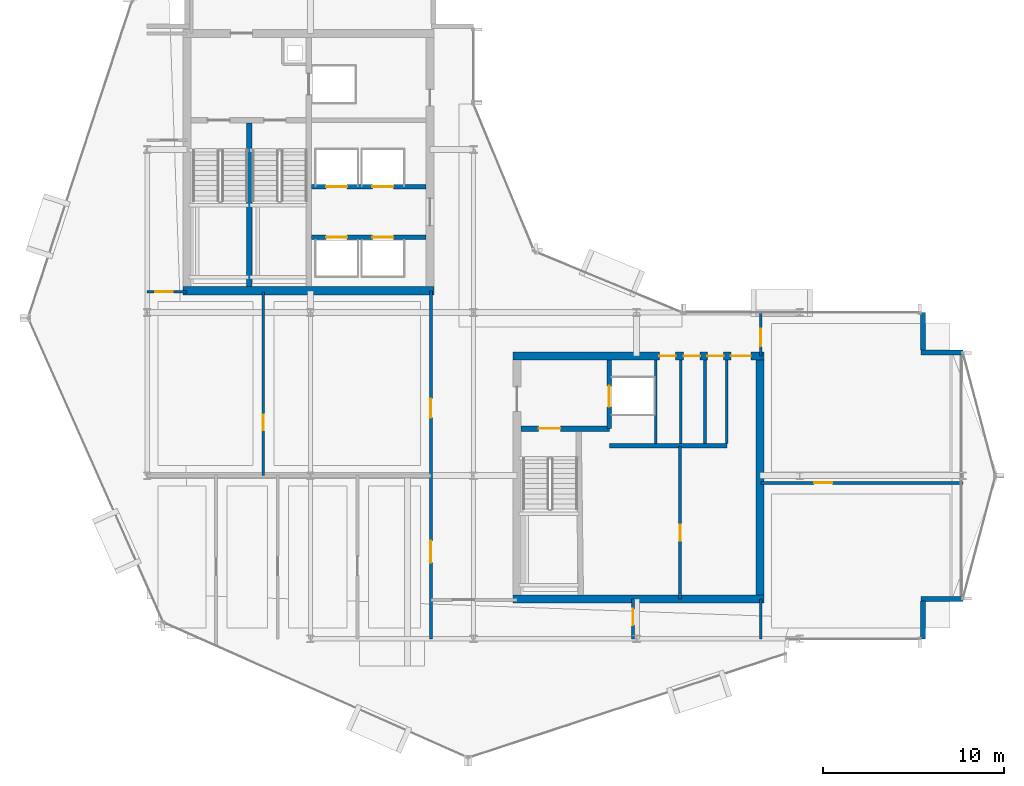
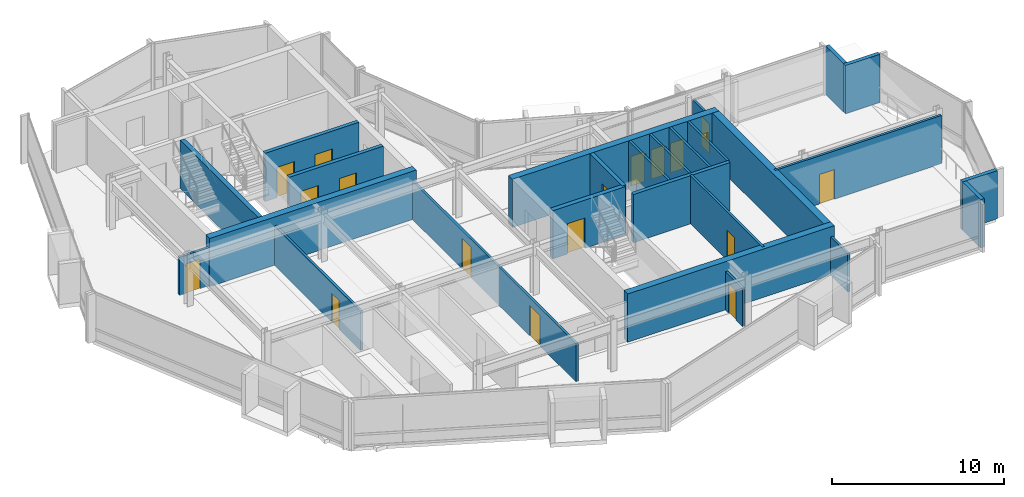
# One storey, part 20 of 27: 26 walls, 18 doors, 18 openings.
"""IFC4 building model written with IfcOpenShell, lengths in metres."""

from ifc_helpers import new_model, si_unit, direction, frame, frame_2d, origin, place, context, subcontext, project, spatial, rectangle, extrude, material, layer, layer_set, type_object, element, fill, save


model = new_model("IFC4")

# Units and contexts
model_context = context("Model", 3, precision=1e-05, world=origin(), true_north=direction((0.0, 1.0)))
body_context = subcontext(model_context, "Body", "Model", "MODEL_VIEW")
ifc_project = project(units=[si_unit("LENGTHUNIT", "METRE"), si_unit("AREAUNIT", "SQUARE_METRE"), si_unit("VOLUMEUNIT", "CUBIC_METRE"), si_unit("PLANEANGLEUNIT", "RADIAN"), si_unit("MASSUNIT", "GRAM", prefix="KILO")], contexts=[model_context])

# Site, building, storey
site_placement = place(None, origin())
site = spatial("IfcSite", under=ifc_project, at=site_placement, CompositionType="ELEMENT")
building_placement = place(site_placement, origin())
building = spatial("IfcBuilding", under=site, at=building_placement, Name="Solvaryn Broadcast Tower", CompositionType="ELEMENT")
storey_placement = place(building_placement, frame((0.0, 0.0, 228.39990234375)))
storey = spatial("IfcBuildingStorey", under=building, at=storey_placement, Name="L57", CompositionType="ELEMENT", Elevation=228.39990234375)

# Walls
ifc_material_1 = material(Name="Concrete f'c 70 MPa", Category="concrete")
ifc_layer_1 = layer(ifc_material_1, 0.449951171875)
ifc_layer_set_1 = layer_set([ifc_layer_1], Name="CW-SHEAR-450")
wall_type_1 = type_object("IfcWallType", Name="CW-SHEAR-450", PredefinedType="SHEAR", material=ifc_layer_set_1)
for number, where, z_axis, x_axis, name in (
    (1, (10.97509765625, 28.199951171875, 0.0), (0.0, 0.0, 1.0), (1.0, 0.0, 0.0), "L57 West Core South Shear Wall"),
    (2, (29.175048828125, 11.199951171875, 0.0), (0.0, 0.0, 1.0), (1.0, 0.0, 0.0), "L57 East Core South Shear Wall"),
):
    element("IfcWall", number, at=place(storey_placement, frame(where, z_axis=z_axis, x_axis=x_axis)), inside=storey, type_object=wall_type_1, Name=name, PredefinedType="SHEAR", context=body_context, shape_type="SweptSolid", body=[
        extrude(rectangle(XDim=13.849853515625, YDim=0.449951171875, at=frame_2d((6.9248046875, 0.0))), origin(), (0.0, 0.0, 1.0), 3.420166015625),
    ])

# Wall, openings, doors
wall_1_placement = place(storey_placement, frame((43.02490234375, 24.60009765625, 0.0), z_axis=(0.0, 0.0, 1.0), x_axis=(-1.0, 0.0, 0.0)))
wall_1 = element("IfcWall", 3, at=wall_1_placement, inside=storey, type_object=wall_type_1, Name="L57 East Core North Shear Wall", PredefinedType="SHEAR", context=body_context, shape_type="SweptSolid", body=[
    extrude(rectangle(XDim=13.849853515625, YDim=0.449951171875, at=frame_2d((6.9248046875, 0.0))), origin(), (0.0, 0.0, 1.0), 3.420166015625),
])
opening_1_placement = place(wall_1_placement, frame((0.72509765625, 0.0, 0.0)))
opening_1 = element("IfcOpeningElement", 4, at=opening_1_placement, cuts=wall_1, Name="Opening FD90C", PredefinedType="OPENING", context=body_context, shape_type="SweptSolid", body=[
    extrude(rectangle(XDim=1.10009765625, YDim=2.14990234375, at=frame_2d((0.550048828125, 1.074951171875))), frame((0.0, 0.235107421875, 0.0), z_axis=(0.0, -1.0, 0.0), x_axis=(1.0, 0.0, 0.0)), (0.0, 0.0, 1.0), 0.469970703125),
])
opening_2_placement = place(wall_1_placement, frame((2.22509765625, 0.0, 0.0)))
opening_2 = element("IfcOpeningElement", 5, at=opening_2_placement, cuts=wall_1, Name="Opening FD60C", PredefinedType="OPENING", context=body_context, shape_type="SweptSolid", body=[
    extrude(rectangle(XDim=0.89990234375, YDim=2.10009765625, at=frame_2d((0.449951171875, 1.050048828125))), frame((0.0, 0.235107421875, 0.0), z_axis=(0.0, -1.0, 0.0), x_axis=(1.0, 0.0, 0.0)), (0.0, 0.0, 1.0), 0.469970703125),
])
opening_3_placement = place(wall_1_placement, frame((3.52490234375, 0.0, 0.0)))
opening_3 = element("IfcOpeningElement", 6, at=opening_3_placement, cuts=wall_1, Name="Opening FD60C", PredefinedType="OPENING", context=body_context, shape_type="SweptSolid", body=[
    extrude(rectangle(XDim=0.89990234375, YDim=2.10009765625, at=frame_2d((0.449951171875, 1.050048828125))), frame((0.0, 0.235107421875, 0.0), z_axis=(0.0, -1.0, 0.0), x_axis=(1.0, 0.0, 0.0)), (0.0, 0.0, 1.0), 0.469970703125),
])
opening_4_placement = place(wall_1_placement, frame((4.875, 0.0, 0.0)))
opening_4 = element("IfcOpeningElement", 7, at=opening_4_placement, cuts=wall_1, Name="Opening FD60C", PredefinedType="OPENING", context=body_context, shape_type="SweptSolid", body=[
    extrude(rectangle(XDim=0.89990234375, YDim=2.10009765625, at=frame_2d((0.449951171875, 1.050048828125))), frame((0.0, 0.235107421875, 0.0), z_axis=(0.0, -1.0, 0.0), x_axis=(1.0, 0.0, 0.0)), (0.0, 0.0, 1.0), 0.469970703125),
])
ifc_material_2 = material(Name="Flush Acoustic Steel and Timber Door Assembly", Category="steel")
door_type_1 = type_object("IfcDoorType", Name="FD60-SERV-900X2100", OperationType="NOTDEFINED", PredefinedType="DOOR", material=ifc_material_2)
door_1_placement = place(opening_2_placement, origin())
door_1 = element("IfcDoor", 8, at=door_1_placement, inside=storey, type_object=door_type_1, Name="L57 Core Wellness Room Door", OperationType="SINGLE_SWING_RIGHT", OverallHeight=2.10009765625, OverallWidth=0.89990234375, PredefinedType="DOOR", context=body_context, shape_type="SweptSolid", body=[
    extrude(rectangle(XDim=0.89990234375, YDim=2.10009765625, at=frame_2d((0.449951171875, 1.050048828125))), frame((0.0, 0.02490234375, 0.0), z_axis=(0.0, -1.0, 0.0), x_axis=(1.0, 0.0, 0.0)), (0.0, 0.0, 1.0), 0.050048828125),
])
fill(opening_2, door_1)
door_2_placement = place(opening_3_placement, origin())
door_2 = element("IfcDoor", 9, at=door_2_placement, inside=storey, type_object=door_type_1, Name="L57 Staff Restroom Door", OperationType="SINGLE_SWING_LEFT", OverallHeight=2.10009765625, OverallWidth=0.89990234375, PredefinedType="DOOR", context=body_context, shape_type="SweptSolid", body=[
    extrude(rectangle(XDim=0.89990234375, YDim=2.10009765625, at=frame_2d((0.449951171875, 1.050048828125))), frame((0.0, 0.02490234375, 0.0), z_axis=(0.0, -1.0, 0.0), x_axis=(1.0, 0.0, 0.0)), (0.0, 0.0, 1.0), 0.050048828125),
])
fill(opening_3, door_2)
door_3_placement = place(opening_4_placement, origin())
door_3 = element("IfcDoor", 10, at=door_3_placement, inside=storey, type_object=door_type_1, Name="L57 Accessible WC Door", OperationType="SINGLE_SWING_RIGHT", OverallHeight=2.10009765625, OverallWidth=0.89990234375, PredefinedType="DOOR", context=body_context, shape_type="SweptSolid", body=[
    extrude(rectangle(XDim=0.89990234375, YDim=2.10009765625, at=frame_2d((0.449951171875, 1.050048828125))), frame((0.0, 0.02490234375, 0.0), z_axis=(0.0, -1.0, 0.0), x_axis=(1.0, 0.0, 0.0)), (0.0, 0.0, 1.0), 0.050048828125),
])
fill(opening_4, door_3)
ifc_material_3 = material(Name="Flush Acoustic Steel and Timber Door Assembly", Category="steel")
door_type_2 = type_object("IfcDoorType", Name="FD90-PLANT-1100X2150", OperationType="NOTDEFINED", PredefinedType="DOOR", material=ifc_material_3)
door_4_placement = place(opening_1_placement, origin())
door_4 = element("IfcDoor", 11, at=door_4_placement, inside=storey, type_object=door_type_2, Name="L57 East Core Lobby Corridor Door", OperationType="SINGLE_SWING_LEFT", OverallHeight=2.14990234375, OverallWidth=1.10009765625, PredefinedType="DOOR", context=body_context, shape_type="SweptSolid", body=[
    extrude(rectangle(XDim=1.10009765625, YDim=2.14990234375, at=frame_2d((0.550048828125, 1.074951171875))), frame((0.0, 0.02490234375, 0.0), z_axis=(0.0, -1.0, 0.0), x_axis=(1.0, 0.0, 0.0)), (0.0, 0.0, 1.0), 0.050048828125),
])
fill(opening_1, door_4)

# Walls
wall_2_placement = place(storey_placement, frame((42.800048828125, 11.425048828125, 0.0), z_axis=(0.0, 0.0, 1.0), x_axis=(0.0, 1.0, 0.0)))
element("IfcWall", 12, at=wall_2_placement, inside=storey, type_object=wall_type_1, Name="L57 East Core East Shear Wall", PredefinedType="SHEAR", context=body_context, shape_type="SweptSolid", body=[
    extrude(rectangle(XDim=12.949951171875, YDim=0.449951171875, at=frame_2d((6.47509765625, 0.0))), origin(), (0.0, 0.0, 1.0), 3.420166015625),
])
ifc_material_4 = material(Name="Concrete f'c 50 MPa", Category="concrete")
ifc_layer_2 = layer(ifc_material_4, 0.260009765625)
ifc_layer_set_2 = layer_set([ifc_layer_2], Name="EW-PIER-260")
wall_type_2 = type_object("IfcWallType", Name="EW-PIER-260", PredefinedType="SOLIDWALL", material=ifc_layer_set_2)
wall_3_placement = place(storey_placement, frame((51.800048828125, 9.0, 0.0), z_axis=(0.0, 0.0, 1.0), x_axis=(0.0, 1.0, 0.0)))
element("IfcWall", 13, at=wall_3_placement, inside=storey, type_object=wall_type_2, Name="L57 Notched Corner Pier Wall NSE1", PredefinedType="SOLIDWALL", context=body_context, shape_type="SweptSolid", body=[
    extrude(rectangle(XDim=2.080078125, YDim=0.260009765625, at=frame_2d((1.0400390625, 0.0))), origin(), (0.0, 0.0, 1.0), 3.420166015625),
])
for number, where, z_axis, x_axis, name in (
    (14, (51.679931640625, 11.199951171875, 0.0), (0.0, 0.0, 1.0), (1.0, 0.0, 0.0), "L57 Notched Corner Pier Wall NSE2"),
    (15, (54.0, 24.800048828125, 0.0), (0.0, 0.0, 1.0), (-1.0, 0.0, 0.0), "L57 Notched Corner Pier Wall NEE1"),
):
    element("IfcWall", number, at=place(storey_placement, frame(where, z_axis=z_axis, x_axis=x_axis)), inside=storey, type_object=wall_type_2, Name=name, PredefinedType="SOLIDWALL", context=body_context, shape_type="SweptSolid", body=[
        extrude(rectangle(XDim=2.320068359375, YDim=0.260009765625, at=frame_2d((1.16015625, 0.0))), origin(), (0.0, 0.0, 1.0), 3.420166015625),
    ])
wall_4_placement = place(storey_placement, frame((51.800048828125, 24.919921875, 0.0), z_axis=(0.0, 0.0, 1.0), x_axis=(0.0, 1.0, 0.0)))
element("IfcWall", 16, at=wall_4_placement, inside=storey, type_object=wall_type_2, Name="L57 Notched Corner Pier Wall NEE2", PredefinedType="SOLIDWALL", context=body_context, shape_type="SweptSolid", body=[
    extrude(rectangle(XDim=2.080078125, YDim=0.260009765625, at=frame_2d((1.0400390625, 0.0))), origin(), (0.0, 0.0, 1.0), 3.420166015625),
])

# Wall, opening, door
ifc_material_5 = material(Name="Metal-Stud Service Core Partition")
ifc_layer_3 = layer(ifc_material_5, 0.14990234375)
ifc_layer_set_3 = layer_set([ifc_layer_3], Name="IW-PART-150")
wall_type_3 = type_object("IfcWallType", Name="IW-PART-150", PredefinedType="PARTITIONING", material=ifc_layer_set_3)
wall_5_placement = place(storey_placement, frame((38.39990234375, 11.199951171875, 0.0), z_axis=(0.0, 0.0, 1.0), x_axis=(0.0, 1.0, 0.0)))
wall_5 = element("IfcWall", 17, at=wall_5_placement, inside=storey, type_object=wall_type_3, Name="L57 Interior Partition IW-L57-RPM-V", PredefinedType="PARTITIONING", context=body_context, shape_type="SweptSolid", body=[
    extrude(rectangle(XDim=8.400146484375, YDim=0.14990234375, at=frame_2d((4.2001953125, 0.0))), origin(), (0.0, 0.0, 1.0), 3.420166015625),
])
opening_5_placement = place(wall_5_placement, frame((3.199951171875, 0.0, 0.0)))
opening_5 = element("IfcOpeningElement", 18, at=opening_5_placement, cuts=wall_5, Name="Opening FD60C", PredefinedType="OPENING", context=body_context, shape_type="SweptSolid", body=[
    extrude(rectangle(XDim=0.89990234375, YDim=2.10009765625, at=frame_2d((0.449951171875, 1.050048828125))), frame((0.0, 0.0849609375, 0.0), z_axis=(0.0, -1.0, 0.0), x_axis=(1.0, 0.0, 0.0)), (0.0, 0.0, 1.0), 0.169921875),
])
door_5_placement = place(opening_5_placement, origin())
door_5 = element("IfcDoor", 19, at=door_5_placement, inside=storey, type_object=door_type_1, Name="L57 Door DR-L57-RPM1", OperationType="SINGLE_SWING_RIGHT", OverallHeight=2.10009765625, OverallWidth=0.89990234375, PredefinedType="DOOR", context=body_context, shape_type="SweptSolid", body=[
    extrude(rectangle(XDim=0.89990234375, YDim=2.10009765625, at=frame_2d((0.449951171875, 1.050048828125))), frame((0.0, 0.02490234375, 0.0), z_axis=(0.0, -1.0, 0.0), x_axis=(1.0, 0.0, 0.0)), (0.0, 0.0, 1.0), 0.050048828125),
])
fill(opening_5, door_5)

# Walls
for number, where, z_axis, x_axis, name in (
    (20, (37.050048828125, 19.780029296875, 0.0), (0.0, 0.0, 1.0), (0.0, 1.0, 0.0), "L57 Interior Partition IW-L57-CE-FL2E"),
    (21, (38.43994140625, 19.780029296875, 0.0), (0.0, 0.0, 1.0), (0.0, 1.0, 0.0), "L57 Interior Partition IW-L57-CE-V1"),
    (22, (39.77001953125, 19.780029296875, 0.0), (0.0, 0.0, 1.0), (0.0, 1.0, 0.0), "L57 Interior Partition IW-L57-CE-V2"),
    (23, (40.97998046875, 19.780029296875, 0.0), (0.0, 0.0, 1.0), (0.0, 1.0, 0.0), "L57 Interior Partition IW-L57-CE-V3"),
):
    element("IfcWall", number, at=place(storey_placement, frame(where, z_axis=z_axis, x_axis=x_axis)), inside=storey, type_object=wall_type_3, Name=name, PredefinedType="PARTITIONING", context=body_context, shape_type="SweptSolid", body=[
        extrude(rectangle(XDim=4.594970703125, YDim=0.14990234375, at=frame_2d((2.29736328125, 0.0))), origin(), (0.0, 0.0, 1.0), 3.420166015625),
    ])

# Wall, opening, door
wall_6_placement = place(storey_placement, frame((35.800048828125, 9.0, 0.0), z_axis=(0.0, 0.0, 1.0), x_axis=(0.0, 1.0, 0.0)))
wall_6 = element("IfcWall", 24, at=wall_6_placement, inside=storey, type_object=wall_type_3, Name="L57 Interior Partition IW-L57-SC-V", PredefinedType="PARTITIONING", context=body_context, shape_type="SweptSolid", body=[
    extrude(rectangle(XDim=2.199951171875, YDim=0.14990234375, at=frame_2d((1.10009765625, 0.0))), origin(), (0.0, 0.0, 1.0), 2.70703125),
])
opening_6_placement = place(wall_6_placement, frame((0.75, 0.0, 0.0)))
opening_6 = element("IfcOpeningElement", 25, at=opening_6_placement, cuts=wall_6, Name="Opening FD60C", PredefinedType="OPENING", context=body_context, shape_type="SweptSolid", body=[
    extrude(rectangle(XDim=0.89990234375, YDim=2.10009765625, at=frame_2d((0.449951171875, 1.050048828125))), frame((0.0, 0.0849609375, 0.0), z_axis=(0.0, -1.0, 0.0), x_axis=(1.0, 0.0, 0.0)), (0.0, 0.0, 1.0), 0.169921875),
])
door_6_placement = place(opening_6_placement, origin())
door_6 = element("IfcDoor", 26, at=door_6_placement, inside=storey, type_object=door_type_1, Name="L57 Door DR-L57-SC1", OperationType="SINGLE_SWING_RIGHT", OverallHeight=2.10009765625, OverallWidth=0.89990234375, PredefinedType="DOOR", context=body_context, shape_type="SweptSolid", body=[
    extrude(rectangle(XDim=0.89990234375, YDim=2.10009765625, at=frame_2d((0.449951171875, 1.050048828125))), frame((0.0, 0.02490234375, 0.0), z_axis=(0.0, -1.0, 0.0), x_axis=(1.0, 0.0, 0.0)), (0.0, 0.0, 1.0), 0.050048828125),
])
fill(opening_6, door_6)

ifc_material_6 = material(Name="Metal-Stud Gypsum Office Partition")
ifc_layer_4 = layer(ifc_material_6, 0.159912109375)
ifc_layer_set_4 = layer_set([ifc_layer_4], Name="IW-PART-160")
wall_type_4 = type_object("IfcWallType", Name="IW-PART-160", PredefinedType="PARTITIONING", material=ifc_layer_set_4)
wall_7_placement = place(storey_placement, frame((9.0, 28.14990234375, 0.0), z_axis=(0.0, 0.0, 1.0), x_axis=(1.0, 0.0, 0.0)))
wall_7 = element("IfcWall", 27, at=wall_7_placement, inside=storey, type_object=wall_type_4, Name="L57 Interior Partition IW-L57-WM-S", PredefinedType="PARTITIONING", context=body_context, shape_type="SweptSolid", body=[
    extrude(rectangle(XDim=2.199951171875, YDim=0.159912109375, at=frame_2d((1.10009765625, 0.0))), origin(), (0.0, 0.0, 1.0), 2.70703125),
])
opening_7_placement = place(wall_7_placement, frame((0.449951171875, 0.0, 0.0)))
opening_7 = element("IfcOpeningElement", 28, at=opening_7_placement, cuts=wall_7, Name="Opening ID01", PredefinedType="OPENING", context=body_context, shape_type="SweptSolid", body=[
    extrude(rectangle(XDim=0.949951171875, YDim=2.10009765625, at=frame_2d((0.47509765625, 1.050048828125))), frame((0.0, 0.090087890625, 0.0), z_axis=(0.0, -1.0, 0.0), x_axis=(1.0, 0.0, 0.0)), (0.0, 0.0, 1.0), 0.179931640625),
])
ifc_material_7 = material(Name="Flush Acoustic Steel and Timber Door Assembly", Category="steel")
door_type_3 = type_object("IfcDoorType", Name="ID-01-950X2100", OperationType="NOTDEFINED", PredefinedType="DOOR", material=ifc_material_7)
door_7_placement = place(opening_7_placement, origin())
door_7 = element("IfcDoor", 29, at=door_7_placement, inside=storey, type_object=door_type_3, Name="L57 Door DR-L57-WM0", OperationType="SINGLE_SWING_LEFT", OverallHeight=2.10009765625, OverallWidth=0.949951171875, PredefinedType="DOOR", context=body_context, shape_type="SweptSolid", body=[
    extrude(rectangle(XDim=0.949951171875, YDim=2.10009765625, at=frame_2d((0.47509765625, 1.050048828125))), frame((0.0, 0.02490234375, 0.0), z_axis=(0.0, -1.0, 0.0), x_axis=(1.0, 0.0, 0.0)), (0.0, 0.0, 1.0), 0.050048828125),
])
fill(opening_7, door_7)

# Wall, openings, doors
wall_8_placement = place(storey_placement, frame((24.64990234375, 9.0, 0.0), z_axis=(0.0, 0.0, 1.0), x_axis=(0.0, 1.0, 0.0)))
wall_8 = element("IfcWall", 30, at=wall_8_placement, inside=storey, type_object=wall_type_4, Name="L57 Interior Partition IW-L57-SW-EB", PredefinedType="PARTITIONING", context=body_context, shape_type="SweptSolid", body=[
    extrude(rectangle(XDim=19.199951171875, YDim=0.159912109375, at=frame_2d((9.60009765625, 0.0))), origin(), (0.0, 0.0, 1.0), 2.70703125),
])
opening_8_placement = place(wall_8_placement, frame((12.199951171875, 0.0, 0.0)))
opening_8 = element("IfcOpeningElement", 31, at=opening_8_placement, cuts=wall_8, Name="Opening ID03", PredefinedType="OPENING", context=body_context, shape_type="SweptSolid", body=[
    extrude(rectangle(XDim=1.050048828125, YDim=2.14990234375, at=frame_2d((0.52490234375, 1.074951171875))), frame((0.0, 0.090087890625, 0.0), z_axis=(0.0, -1.0, 0.0), x_axis=(1.0, 0.0, 0.0)), (0.0, 0.0, 1.0), 0.179931640625),
])
opening_9_placement = place(wall_8_placement, frame((4.199951171875, 0.0, 0.0)))
opening_9 = element("IfcOpeningElement", 32, at=opening_9_placement, cuts=wall_8, Name="Opening ID04", PredefinedType="OPENING", context=body_context, shape_type="SweptSolid", body=[
    extrude(rectangle(XDim=1.199951171875, YDim=2.14990234375, at=frame_2d((0.60009765625, 1.074951171875))), frame((0.0, 0.090087890625, 0.0), z_axis=(0.0, -1.0, 0.0), x_axis=(1.0, 0.0, 0.0)), (0.0, 0.0, 1.0), 0.179931640625),
])
ifc_material_8 = material(Name="Flush Acoustic Steel and Timber Door Assembly", Category="steel")
door_type_4 = type_object("IfcDoorType", Name="ID-03-1050X2150", OperationType="NOTDEFINED", PredefinedType="DOOR", material=ifc_material_8)
door_8_placement = place(opening_8_placement, origin())
door_8 = element("IfcDoor", 33, at=door_8_placement, inside=storey, type_object=door_type_4, Name="L57 Door DR-L57-SW-EN", OperationType="SINGLE_SWING_LEFT", OverallHeight=2.14990234375, OverallWidth=1.050048828125, PredefinedType="DOOR", context=body_context, shape_type="SweptSolid", body=[
    extrude(rectangle(XDim=1.050048828125, YDim=2.14990234375, at=frame_2d((0.52490234375, 1.074951171875))), frame((0.0, 0.02490234375, 0.0), z_axis=(0.0, -1.0, 0.0), x_axis=(1.0, 0.0, 0.0)), (0.0, 0.0, 1.0), 0.050048828125),
])
fill(opening_8, door_8)
ifc_material_9 = material(Name="Flush Acoustic Steel and Timber Door Assembly", Category="steel")
door_type_5 = type_object("IfcDoorType", Name="ID-04-1200X2150", OperationType="NOTDEFINED", PredefinedType="DOOR", material=ifc_material_9)
door_9_placement = place(opening_9_placement, origin())
door_9 = element("IfcDoor", 34, at=door_9_placement, inside=storey, type_object=door_type_5, Name="L57 Door DR-L57-SW-ES", OperationType="SINGLE_SWING_RIGHT", OverallHeight=2.14990234375, OverallWidth=1.199951171875, PredefinedType="DOOR", context=body_context, shape_type="SweptSolid", body=[
    extrude(rectangle(XDim=1.199951171875, YDim=2.14990234375, at=frame_2d((0.60009765625, 1.074951171875))), frame((0.0, 0.02490234375, 0.0), z_axis=(0.0, -1.0, 0.0), x_axis=(1.0, 0.0, 0.0)), (0.0, 0.0, 1.0), 0.050048828125),
])
fill(opening_9, door_9)

# Wall, opening, door
wall_9_placement = place(storey_placement, frame((15.39990234375, 18.0, 0.0), z_axis=(0.0, 0.0, 1.0), x_axis=(0.0, 1.0, 0.0)))
wall_9 = element("IfcWall", 35, at=wall_9_placement, inside=storey, type_object=wall_type_4, Name="L57 Interior Partition IW-L57-SWN-V1", PredefinedType="PARTITIONING", context=body_context, shape_type="SweptSolid", body=[
    extrude(rectangle(XDim=10.1298828125, YDim=0.159912109375, at=frame_2d((5.06494140625, 0.0))), origin(), (0.0, 0.0, 1.0), 2.7890625),
])
opening_10_placement = place(wall_9_placement, frame((2.5, 0.0, 0.0)))
opening_10 = element("IfcOpeningElement", 36, at=opening_10_placement, cuts=wall_9, Name="Opening ID07", PredefinedType="OPENING", context=body_context, shape_type="SweptSolid", body=[
    extrude(rectangle(XDim=0.860107421875, YDim=2.050048828125, at=frame_2d((0.43017578125, 1.02490234375))), frame((0.0, 0.090087890625, 0.0), z_axis=(0.0, -1.0, 0.0), x_axis=(1.0, 0.0, 0.0)), (0.0, 0.0, 1.0), 0.179931640625),
])
ifc_material_10 = material(Name="Flush Acoustic Steel and Timber Door Assembly", Category="steel")
door_type_6 = type_object("IfcDoorType", Name="ID-07-860X2050", OperationType="NOTDEFINED", PredefinedType="DOOR", material=ifc_material_10)
door_10_placement = place(opening_10_placement, origin())
door_10 = element("IfcDoor", 37, at=door_10_placement, inside=storey, type_object=door_type_6, Name="L57 Door DR-L57-SWN-1", OperationType="SINGLE_SWING_LEFT", OverallHeight=2.050048828125, OverallWidth=0.860107421875, PredefinedType="DOOR", context=body_context, shape_type="SweptSolid", body=[
    extrude(rectangle(XDim=0.860107421875, YDim=2.050048828125, at=frame_2d((0.43017578125, 1.02490234375))), frame((0.0, 0.02490234375, 0.0), z_axis=(0.0, -1.0, 0.0), x_axis=(1.0, 0.0, 0.0)), (0.0, 0.0, 1.0), 0.050048828125),
])
fill(opening_10, door_10)

# Wall
wall_10_placement = place(storey_placement, frame((42.85009765625, 9.0, 0.0), z_axis=(0.0, 0.0, 1.0), x_axis=(0.0, 1.0, 0.0)))
element("IfcWall", 38, at=wall_10_placement, inside=storey, type_object=wall_type_4, Name="L57 Interior Partition IW-L57-SC-E", PredefinedType="PARTITIONING", context=body_context, shape_type="SweptSolid", body=[
    extrude(rectangle(XDim=2.199951171875, YDim=0.159912109375, at=frame_2d((1.10009765625, 0.0))), origin(), (0.0, 0.0, 1.0), 2.70703125),
])

# Wall, opening, door
wall_11_placement = place(storey_placement, frame((42.85009765625, 24.60009765625, 0.0), z_axis=(0.0, 0.0, 1.0), x_axis=(0.0, 1.0, 0.0)))
wall_11 = element("IfcWall", 39, at=wall_11_placement, inside=storey, type_object=wall_type_4, Name="L57 Interior Partition IW-L57-EW-BN", PredefinedType="PARTITIONING", context=body_context, shape_type="SweptSolid", body=[
    extrude(rectangle(XDim=2.39990234375, YDim=0.159912109375, at=frame_2d((1.199951171875, 0.0))), origin(), (0.0, 0.0, 1.0), 2.70703125),
])
opening_11_placement = place(wall_11_placement, frame((0.550048828125, 0.0, 0.0)))
opening_11 = element("IfcOpeningElement", 40, at=opening_11_placement, cuts=wall_11, Name="Opening ID01", PredefinedType="OPENING", context=body_context, shape_type="SweptSolid", body=[
    extrude(rectangle(XDim=0.949951171875, YDim=2.10009765625, at=frame_2d((0.47509765625, 1.050048828125))), frame((0.0, 0.090087890625, 0.0), z_axis=(0.0, -1.0, 0.0), x_axis=(1.0, 0.0, 0.0)), (0.0, 0.0, 1.0), 0.179931640625),
])
door_11_placement = place(opening_11_placement, origin())
door_11 = element("IfcDoor", 41, at=door_11_placement, inside=storey, type_object=door_type_3, Name="L57 Door DR-L57-EW0", OperationType="SINGLE_SWING_LEFT", OverallHeight=2.10009765625, OverallWidth=0.949951171875, PredefinedType="DOOR", context=body_context, shape_type="SweptSolid", body=[
    extrude(rectangle(XDim=0.949951171875, YDim=2.10009765625, at=frame_2d((0.47509765625, 1.050048828125))), frame((0.0, 0.02490234375, 0.0), z_axis=(0.0, -1.0, 0.0), x_axis=(1.0, 0.0, 0.0)), (0.0, 0.0, 1.0), 0.050048828125),
])
fill(opening_11, door_11)

wall_12_placement = place(storey_placement, frame((42.85009765625, 17.60009765625, 0.0), z_axis=(0.0, 0.0, 1.0), x_axis=(1.0, 0.0, 0.0)))
wall_12 = element("IfcWall", 42, at=wall_12_placement, inside=storey, type_object=wall_type_4, Name="L57 Interior Partition IW-L57-EW-H1", PredefinedType="PARTITIONING", context=body_context, shape_type="SweptSolid", body=[
    extrude(rectangle(XDim=11.14990234375, YDim=0.159912109375, at=frame_2d((5.574951171875, 0.0))), origin(), (0.0, 0.0, 1.0), 3.420166015625),
])
opening_12_placement = place(wall_12_placement, frame((2.949951171875, 0.0, 0.0)))
opening_12 = element("IfcOpeningElement", 43, at=opening_12_placement, cuts=wall_12, Name="Opening ID02", PredefinedType="OPENING", context=body_context, shape_type="SweptSolid", body=[
    extrude(rectangle(XDim=1.0, YDim=2.10009765625, at=frame_2d((0.5, 1.050048828125))), frame((0.0, 0.090087890625, 0.0), z_axis=(0.0, -1.0, 0.0), x_axis=(1.0, 0.0, 0.0)), (0.0, 0.0, 1.0), 0.179931640625),
])
ifc_material_11 = material(Name="Flush Acoustic Steel and Timber Door Assembly", Category="steel")
door_type_7 = type_object("IfcDoorType", Name="ID-02-1000X2100", OperationType="NOTDEFINED", PredefinedType="DOOR", material=ifc_material_11)
door_12_placement = place(opening_12_placement, origin())
door_12 = element("IfcDoor", 44, at=door_12_placement, inside=storey, type_object=door_type_7, Name="L57 Door DR-L57-EW-1", OperationType="SINGLE_SWING_RIGHT", OverallHeight=2.10009765625, OverallWidth=1.0, PredefinedType="DOOR", context=body_context, shape_type="SweptSolid", body=[
    extrude(rectangle(XDim=1.0, YDim=2.10009765625, at=frame_2d((0.5, 1.050048828125))), frame((0.0, 0.02490234375, 0.0), z_axis=(0.0, -1.0, 0.0), x_axis=(1.0, 0.0, 0.0)), (0.0, 0.0, 1.0), 0.050048828125),
])
fill(opening_12, door_12)

# Wall, openings, doors
ifc_material_12 = material(Name="Concrete f'c 60 MPa", Category="concrete")
ifc_layer_5 = layer(ifc_material_12, 0.25)
ifc_layer_set_5 = layer_set([ifc_layer_5], Name="SW-SHAFT-250")
wall_type_5 = type_object("IfcWallType", Name="SW-SHAFT-250", PredefinedType="PARTITIONING", material=ifc_layer_set_5)
wall_13_placement = place(storey_placement, frame((18.070068359375, 31.14990234375, 0.0), z_axis=(0.0, 0.0, 1.0), x_axis=(1.0, 0.0, 0.0)))
wall_13 = element("IfcWall", 45, at=wall_13_placement, inside=storey, type_object=wall_type_5, Name="L57 High-Rise Lift Bank South Wall", PredefinedType="PARTITIONING", context=body_context, shape_type="SweptSolid", body=[
    extrude(rectangle(XDim=6.304931640625, YDim=0.25, at=frame_2d((3.15234375, 0.0))), origin(), (0.0, 0.0, 1.0), 3.420166015625),
])
opening_13_placement = place(wall_13_placement, frame((0.804931640625, 0.0, 0.0)))
opening_13 = element("IfcOpeningElement", 46, at=opening_13_placement, cuts=wall_13, Name="Opening LD01", PredefinedType="OPENING", context=body_context, shape_type="SweptSolid", body=[
    extrude(rectangle(XDim=1.14990234375, YDim=2.14990234375, at=frame_2d((0.574951171875, 1.074951171875))), frame((0.0, 0.135009765625, 0.0), z_axis=(0.0, -1.0, 0.0), x_axis=(1.0, 0.0, 0.0)), (0.0, 0.0, 1.0), 0.27001953125),
])
opening_14_placement = place(wall_13_placement, frame((3.35498046875, 0.0, 0.0)))
opening_14 = element("IfcOpeningElement", 47, at=opening_14_placement, cuts=wall_13, Name="Opening LD01", PredefinedType="OPENING", context=body_context, shape_type="SweptSolid", body=[
    extrude(rectangle(XDim=1.14990234375, YDim=2.14990234375, at=frame_2d((0.574951171875, 1.074951171875))), frame((0.0, 0.135009765625, 0.0), z_axis=(0.0, -1.0, 0.0), x_axis=(1.0, 0.0, 0.0)), (0.0, 0.0, 1.0), 0.27001953125),
])
ifc_material_13 = material(Name="Flush Acoustic Steel and Timber Door Assembly", Category="steel")
door_type_8 = type_object("IfcDoorType", Name="LD-LIFT-1150X2150", OperationType="NOTDEFINED", PredefinedType="DOOR", material=ifc_material_13)
door_13_placement = place(opening_13_placement, origin())
door_13 = element("IfcDoor", 48, at=door_13_placement, inside=storey, type_object=door_type_8, Name="L57 PH1 Lift Landing Door", OperationType="DOUBLE_DOOR_SLIDING", OverallHeight=2.14990234375, OverallWidth=1.14990234375, PredefinedType="DOOR", context=body_context, shape_type="SweptSolid", body=[
    extrude(rectangle(XDim=1.14990234375, YDim=2.14990234375, at=frame_2d((0.574951171875, 1.074951171875))), frame((0.0, 0.02490234375, 0.0), z_axis=(0.0, -1.0, 0.0), x_axis=(1.0, 0.0, 0.0)), (0.0, 0.0, 1.0), 0.050048828125),
])
fill(opening_13, door_13)
door_14_placement = place(opening_14_placement, origin())
door_14 = element("IfcDoor", 49, at=door_14_placement, inside=storey, type_object=door_type_8, Name="L57 PH2 Lift Landing Door", OperationType="DOUBLE_DOOR_SLIDING", OverallHeight=2.14990234375, OverallWidth=1.14990234375, PredefinedType="DOOR", context=body_context, shape_type="SweptSolid", body=[
    extrude(rectangle(XDim=1.14990234375, YDim=2.14990234375, at=frame_2d((0.574951171875, 1.074951171875))), frame((0.0, 0.02490234375, 0.0), z_axis=(0.0, -1.0, 0.0), x_axis=(1.0, 0.0, 0.0)), (0.0, 0.0, 1.0), 0.050048828125),
])
fill(opening_14, door_14)

wall_14_placement = place(storey_placement, frame((24.375, 33.949951171875, 0.0), z_axis=(0.0, 0.0, 1.0), x_axis=(-1.0, 0.0, 0.0)))
wall_14 = element("IfcWall", 50, at=wall_14_placement, inside=storey, type_object=wall_type_5, Name="L57 High-Rise Lift Bank North Wall", PredefinedType="PARTITIONING", context=body_context, shape_type="SweptSolid", body=[
    extrude(rectangle(XDim=6.304931640625, YDim=0.25, at=frame_2d((3.15234375, 0.0))), origin(), (0.0, 0.0, 1.0), 3.420166015625),
])
opening_15_placement = place(wall_14_placement, frame((4.35009765625, 0.0, 0.0)))
opening_15 = element("IfcOpeningElement", 51, at=opening_15_placement, cuts=wall_14, Name="Opening LD01", PredefinedType="OPENING", context=body_context, shape_type="SweptSolid", body=[
    extrude(rectangle(XDim=1.14990234375, YDim=2.14990234375, at=frame_2d((0.574951171875, 1.074951171875))), frame((0.0, 0.135009765625, 0.0), z_axis=(0.0, -1.0, 0.0), x_axis=(1.0, 0.0, 0.0)), (0.0, 0.0, 1.0), 0.27001953125),
])
opening_16_placement = place(wall_14_placement, frame((1.800048828125, 0.0, 0.0)))
opening_16 = element("IfcOpeningElement", 52, at=opening_16_placement, cuts=wall_14, Name="Opening LD01", PredefinedType="OPENING", context=body_context, shape_type="SweptSolid", body=[
    extrude(rectangle(XDim=1.14990234375, YDim=2.14990234375, at=frame_2d((0.574951171875, 1.074951171875))), frame((0.0, 0.135009765625, 0.0), z_axis=(0.0, -1.0, 0.0), x_axis=(1.0, 0.0, 0.0)), (0.0, 0.0, 1.0), 0.27001953125),
])
door_15_placement = place(opening_15_placement, origin())
door_15 = element("IfcDoor", 53, at=door_15_placement, inside=storey, type_object=door_type_8, Name="L57 PH3 Lift Landing Door", OperationType="DOUBLE_DOOR_SLIDING", OverallHeight=2.14990234375, OverallWidth=1.14990234375, PredefinedType="DOOR", context=body_context, shape_type="SweptSolid", body=[
    extrude(rectangle(XDim=1.14990234375, YDim=2.14990234375, at=frame_2d((0.574951171875, 1.074951171875))), frame((0.0, 0.02490234375, 0.0), z_axis=(0.0, -1.0, 0.0), x_axis=(1.0, 0.0, 0.0)), (0.0, 0.0, 1.0), 0.050048828125),
])
fill(opening_15, door_15)
door_16_placement = place(opening_16_placement, origin())
door_16 = element("IfcDoor", 54, at=door_16_placement, inside=storey, type_object=door_type_8, Name="L57 PH4 Lift Landing Door", OperationType="DOUBLE_DOOR_SLIDING", OverallHeight=2.14990234375, OverallWidth=1.14990234375, PredefinedType="DOOR", context=body_context, shape_type="SweptSolid", body=[
    extrude(rectangle(XDim=1.14990234375, YDim=2.14990234375, at=frame_2d((0.574951171875, 1.074951171875))), frame((0.0, 0.02490234375, 0.0), z_axis=(0.0, -1.0, 0.0), x_axis=(1.0, 0.0, 0.0)), (0.0, 0.0, 1.0), 0.050048828125),
])
fill(opening_16, door_16)

# Wall, opening, door
wall_15_placement = place(storey_placement, frame((34.5, 20.60009765625, 0.0), z_axis=(0.0, 0.0, 1.0), x_axis=(0.0, 1.0, 0.0)))
wall_15 = element("IfcWall", 55, at=wall_15_placement, inside=storey, type_object=wall_type_5, Name="L57 East FSAE Lobby East Wall", PredefinedType="PARTITIONING", context=body_context, shape_type="SweptSolid", body=[
    extrude(rectangle(XDim=3.77490234375, YDim=0.25, at=frame_2d((1.887451171875, 0.0))), origin(), (0.0, 0.0, 1.0), 3.420166015625),
])
opening_17_placement = place(wall_15_placement, frame((1.199951171875, 0.0, 0.0)))
opening_17 = element("IfcOpeningElement", 56, at=opening_17_placement, cuts=wall_15, Name="Opening LD01", PredefinedType="OPENING", context=body_context, shape_type="SweptSolid", body=[
    extrude(rectangle(XDim=1.14990234375, YDim=2.14990234375, at=frame_2d((0.574951171875, 1.074951171875))), frame((0.0, 0.135009765625, 0.0), z_axis=(0.0, -1.0, 0.0), x_axis=(1.0, 0.0, 0.0)), (0.0, 0.0, 1.0), 0.27001953125),
])
door_17_placement = place(opening_17_placement, origin())
door_17 = element("IfcDoor", 57, at=door_17_placement, inside=storey, type_object=door_type_8, Name="L57 FL2 Lift Landing Door", OperationType="DOUBLE_DOOR_SLIDING", OverallHeight=2.14990234375, OverallWidth=1.14990234375, PredefinedType="DOOR", context=body_context, shape_type="SweptSolid", body=[
    extrude(rectangle(XDim=1.14990234375, YDim=2.14990234375, at=frame_2d((0.574951171875, 1.074951171875))), frame((0.0, 0.02490234375, 0.0), z_axis=(0.0, -1.0, 0.0), x_axis=(1.0, 0.0, 0.0)), (0.0, 0.0, 1.0), 0.050048828125),
])
fill(opening_17, door_17)

# Walls
wall_16_placement = place(storey_placement, frame((34.5, 19.64990234375, 0.0), z_axis=(0.0, 0.0, 1.0), x_axis=(1.0, 0.0, 0.0)))
element("IfcWall", 58, at=wall_16_placement, inside=storey, type_object=wall_type_5, Name="L57 East Core Restroom South Wall", PredefinedType="PARTITIONING", context=body_context, shape_type="SweptSolid", body=[
    extrude(rectangle(XDim=6.47998046875, YDim=0.25, at=frame_2d((3.239990234375, 0.0))), origin(), (0.0, 0.0, 1.0), 3.420166015625),
])
ifc_material_14 = material(Name="Concrete f'c 70 MPa", Category="concrete")
ifc_layer_6 = layer(ifc_material_14, 0.300048828125)
ifc_layer_set_6 = layer_set([ifc_layer_6], Name="SW-SHAFT-300")
wall_type_6 = type_object("IfcWallType", Name="SW-SHAFT-300", PredefinedType="SHEAR", material=ifc_layer_set_6)
wall_17_placement = place(storey_placement, frame((14.6201171875, 28.425048828125, 0.0), z_axis=(0.0, 0.0, 1.0), x_axis=(0.0, 1.0, 0.0)))
element("IfcWall", 59, at=wall_17_placement, inside=storey, type_object=wall_type_6, Name="L57 Stair 1-2 Dividing Wall", PredefinedType="SHEAR", context=body_context, shape_type="SweptSolid", body=[
    extrude(rectangle(XDim=9.02490234375, YDim=0.300048828125, at=frame_2d((4.512451171875, 0.0))), origin(), (0.0, 0.0, 1.0), 3.420166015625),
])

# Wall, opening, door
wall_18_placement = place(storey_placement, frame((34.5, 20.60009765625, 0.0), z_axis=(0.0, 0.0, 1.0), x_axis=(-1.0, 0.0, 0.0)))
wall_18 = element("IfcWall", 60, at=wall_18_placement, inside=storey, type_object=wall_type_6, Name="L57 East FSAE Lobby South Wall", PredefinedType="SHEAR", context=body_context, shape_type="SweptSolid", body=[
    extrude(rectangle(XDim=4.875, YDim=0.300048828125, at=frame_2d((2.4375, 0.0))), origin(), (0.0, 0.0, 1.0), 3.420166015625),
])
opening_18_placement = place(wall_18_placement, frame((2.699951171875, 0.0, 0.0)))
opening_18 = element("IfcOpeningElement", 61, at=opening_18_placement, cuts=wall_18, Name="Opening FD90A", PredefinedType="OPENING", context=body_context, shape_type="SweptSolid", body=[
    extrude(rectangle(XDim=1.199951171875, YDim=2.14990234375, at=frame_2d((0.60009765625, 1.074951171875))), frame((0.0, 0.159912109375, 0.0), z_axis=(0.0, -1.0, 0.0), x_axis=(1.0, 0.0, 0.0)), (0.0, 0.0, 1.0), 0.320068359375),
])
ifc_material_15 = material(Name="Flush Acoustic Steel and Timber Door Assembly", Category="steel")
door_type_9 = type_object("IfcDoorType", Name="FD90-STAIR-1200X2150", OperationType="NOTDEFINED", PredefinedType="DOOR", material=ifc_material_15)
door_18_placement = place(opening_18_placement, origin())
door_18 = element("IfcDoor", 62, at=door_18_placement, inside=storey, type_object=door_type_9, Name="L57 Stair 3 Fire Door", OperationType="SINGLE_SWING_LEFT", OverallHeight=2.14990234375, OverallWidth=1.199951171875, PredefinedType="DOOR", context=body_context, shape_type="SweptSolid", body=[
    extrude(rectangle(XDim=1.199951171875, YDim=2.14990234375, at=frame_2d((0.60009765625, 1.074951171875))), frame((0.0, 0.02490234375, 0.0), z_axis=(0.0, -1.0, 0.0), x_axis=(1.0, 0.0, 0.0)), (0.0, 0.0, 1.0), 0.050048828125),
])
fill(opening_18, door_18)

save(model, "model.ifc")
